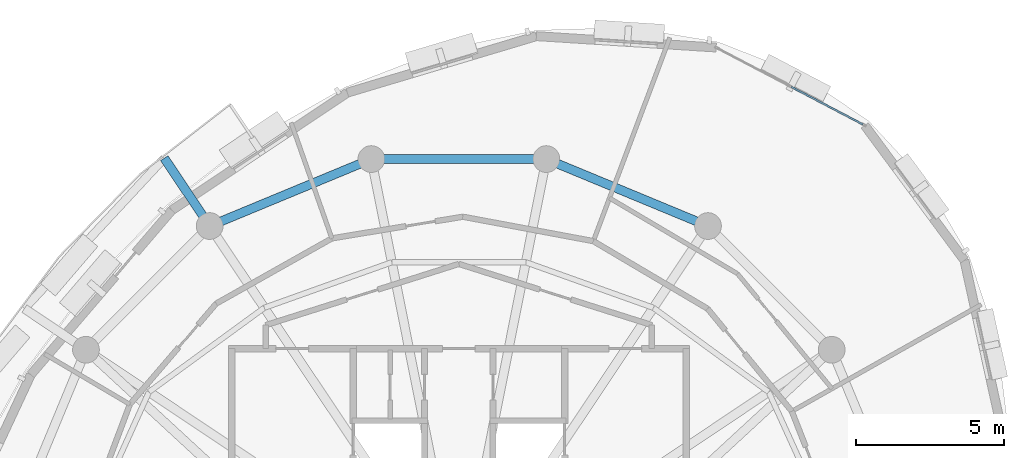
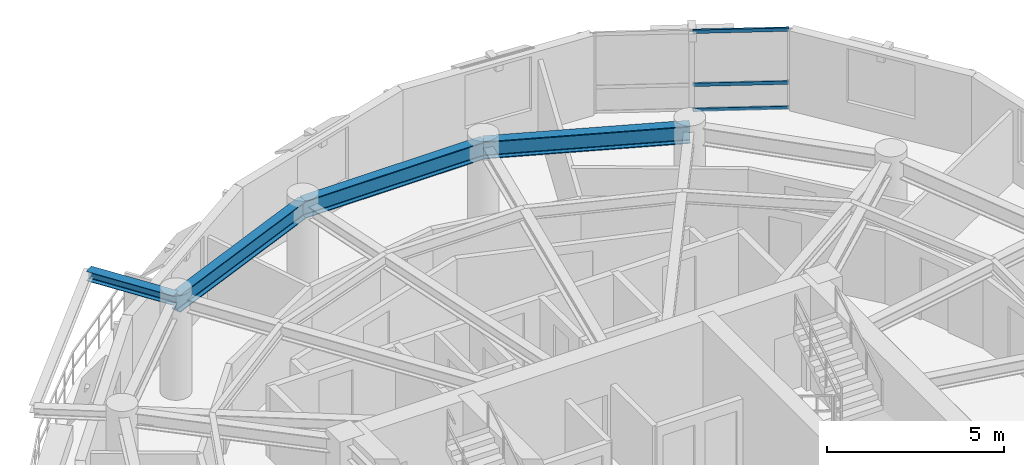
# One storey, part 4 of 11: 4 beams, 3 members, 1 element without a shape of its own.
"""IFC4 building model written with IfcOpenShell, lengths in metres."""

from ifc_helpers import new_model, si_unit, direction, frame, origin, origin_2d, place, context, subcontext, project, spatial, hollow_rectangle, i_section, extrude, material, layer, layer_set, material_profile, profile_set, type_object, element, aggregate, save


model = new_model("IFC4")

# Units and contexts
model_context = context("Model", 3, precision=1e-05, world=origin(), true_north=direction((0.0, 1.0)))
body_context = subcontext(model_context, "Body", "Model", "MODEL_VIEW")
ifc_project = project(units=[si_unit("LENGTHUNIT", "METRE"), si_unit("AREAUNIT", "SQUARE_METRE"), si_unit("VOLUMEUNIT", "CUBIC_METRE"), si_unit("PLANEANGLEUNIT", "RADIAN"), si_unit("MASSUNIT", "GRAM", prefix="KILO"), si_unit("THERMODYNAMICTEMPERATUREUNIT", "KELVIN"), si_unit("POWERUNIT", "WATT")], contexts=[model_context])

# Site, building, storey
site_placement = place(None, origin())
site = spatial("IfcSite", under=ifc_project, at=site_placement, CompositionType="ELEMENT")
building_placement = place(site_placement, origin())
building = spatial("IfcBuilding", under=site, at=building_placement, Name="Ocrelia Relay Tower", CompositionType="ELEMENT")
storey_placement = place(building_placement, frame((0.0, 0.0, 237.60009765625)))
storey = spatial("IfcBuildingStorey", under=building, at=storey_placement, Name="L58", CompositionType="ELEMENT", Elevation=237.60009765625)

# Beams
ifc_material_1 = material(Name="Steel S355", Category="steel")
ifc_material_profile_1 = material_profile(ifc_material_1, i_section(OverallWidth=0.300048828125, OverallDepth=0.330078125, WebThickness=0.009521484375, FlangeThickness=0.0166015625, FilletRadius=0.027099609375, at=origin_2d()), Name="HEA 340")
ifc_profile_set_1 = profile_set([ifc_material_profile_1], Name="Steel S355")
beam_type_1 = type_object("IfcBeamType", Name="BM-HEA340", PredefinedType="BEAM", material=ifc_profile_set_1)
beam_1_placement = place(storey_placement, frame((25.61083984375, 38.55517578125, 3.21484375), z_axis=(-0.555580145188, 0.831462989118, 0.0), x_axis=(-0.831462989118, -0.555580145188, 0.0)))
element("IfcBeam", 1, at=beam_1_placement, inside=storey, type_object=beam_type_1, Name="L59 Balcony Cantilever Beam B1-1", PredefinedType="BEAM", context=body_context, shape_type="SweptSolid", body=[
    extrude(i_section(OverallWidth=0.300048828125, OverallDepth=0.330078125, WebThickness=0.009521484375, FlangeThickness=0.0166015625, FilletRadius=0.027099609375, at=origin_2d()), origin(), (0.0, 0.0, 1.0), 2.752197265625),
])
ifc_material_profile_2 = material_profile(ifc_material_1, i_section(OverallWidth=0.300048828125, OverallDepth=0.60009765625, WebThickness=0.015380859375, FlangeThickness=0.030029296875, FilletRadius=0.027099609375, at=origin_2d()), Name="HEB 600")
ifc_profile_set_2 = profile_set([ifc_material_profile_2], Name="Steel S355")
beam_type_2 = type_object("IfcBeamType", Name="BM-HEB600", PredefinedType="BEAM", material=ifc_profile_set_2)
beam_2_placement = place(storey_placement, frame((42.38916015625, 38.55517578125, 3.079833984375), z_axis=(-0.923884009374, 0.382672624084, 0.0), x_axis=(-0.382672624084, -0.923884009374, 0.0)))
element("IfcBeam", 2, at=beam_2_placement, inside=storey, type_object=beam_type_2, Name="L58 Perimeter Spandrel Beam S03", PredefinedType="BEAM", context=body_context, shape_type="SweptSolid", body=[
    extrude(i_section(OverallWidth=0.300048828125, OverallDepth=0.60009765625, WebThickness=0.015380859375, FlangeThickness=0.030029296875, FilletRadius=0.027099609375, at=origin_2d()), origin(), (0.0, 0.0, 1.0), 5.891845703125),
])
beam_3_placement = place(storey_placement, frame((36.94580078125, 40.809814453125, 3.079833984375), z_axis=(-1.0, 0.0, 0.0), x_axis=(0.0, -1.0, 0.0)))
element("IfcBeam", 3, at=beam_3_placement, inside=storey, type_object=beam_type_2, Name="L58 Perimeter Spandrel Beam S04", PredefinedType="BEAM", context=body_context, shape_type="SweptSolid", body=[
    extrude(i_section(OverallWidth=0.300048828125, OverallDepth=0.60009765625, WebThickness=0.015380859375, FlangeThickness=0.030029296875, FilletRadius=0.027099609375, at=origin_2d()), origin(), (0.0, 0.0, 1.0), 5.8916015625),
])
beam_4_placement = place(storey_placement, frame((31.05419921875, 40.809814453125, 3.079833984375), z_axis=(-0.923884009374, -0.382672624084, 0.0), x_axis=(0.382672624084, -0.923884009374, 0.0)))
element("IfcBeam", 4, at=beam_4_placement, inside=storey, type_object=beam_type_2, Name="L58 Perimeter Spandrel Beam S05", PredefinedType="BEAM", context=body_context, shape_type="SweptSolid", body=[
    extrude(i_section(OverallWidth=0.300048828125, OverallDepth=0.60009765625, WebThickness=0.015380859375, FlangeThickness=0.030029296875, FilletRadius=0.027099609375, at=origin_2d()), origin(), (0.0, 0.0, 1.0), 5.891845703125),
])

# Curtain wall, members
ifc_material_2 = material(Name="Aluminium and solar-control low-E glass", Category="aluminium")
ifc_layer = layer(ifc_material_2, 0.179931640625, Name="Aluminium and solar-control low-E glass")
ifc_layer_set = layer_set([ifc_layer], Name="Aluminium and solar-control low-E glass")
curtain_wall_type = type_object("IfcCurtainWallType", Name="CW-SYS-Z4-EXEC", PredefinedType="NOTDEFINED", material=ifc_layer_set)
curtain_wall_placement = place(storey_placement, origin())
curtain_wall = element("IfcCurtainWall", 5, at=curtain_wall_placement, inside=storey, type_object=curtain_wall_type, Name="L58 Elliptical Tower Curtain Wall Bay 01", PredefinedType="NOTDEFINED")
ifc_material_3 = material(Name="Anodised bronze aluminium", Category="aluminium")
ifc_material_profile_3 = material_profile(ifc_material_3, hollow_rectangle(XDim=0.06005859375, YDim=0.1201171875, WallThickness=0.0048828125, at=origin_2d()), Name="CW-TRN-120x60")
ifc_profile_set_3 = profile_set([ifc_material_profile_3], Name="Anodised bronze aluminium")
member_type = type_object("IfcMemberType", Name="CW-SYS-Z4-EXEC-TRN", PredefinedType="USERDEFINED", material=ifc_profile_set_3)
member_1_placement = place(storey_placement, frame((47.608642578125, 41.974853515625, 0.02978515625), z_axis=(-0.885836790889, 0.463996961096, 0.0), x_axis=(-0.463996961096, -0.885836790889, 0.0)))
member_1 = element("IfcMember", 6, at=member_1_placement, type_object=member_type, Name="CW-Z4 transom 1.1", ObjectType="TRANSOM", PredefinedType="USERDEFINED", context=body_context, shape_type="SweptSolid", body=[
    extrude(hollow_rectangle(XDim=0.06005859375, YDim=0.1201171875, WallThickness=0.0048828125, at=origin_2d()), origin(), (0.0, 0.0, 1.0), 2.7275390625),
])
member_2_placement = place(storey_placement, frame((47.608642578125, 41.974853515625, 0.89990234375), z_axis=(-0.885836790889, 0.463996961096, 0.0), x_axis=(-0.463996961096, -0.885836790889, 0.0)))
member_2 = element("IfcMember", 7, at=member_2_placement, type_object=member_type, Name="CW-Z4 transom 1.2", ObjectType="TRANSOM", PredefinedType="USERDEFINED", context=body_context, shape_type="SweptSolid", body=[
    extrude(hollow_rectangle(XDim=0.06005859375, YDim=0.1201171875, WallThickness=0.0048828125, at=origin_2d()), origin(), (0.0, 0.0, 1.0), 2.7275390625),
])
member_3_placement = place(storey_placement, frame((47.608642578125, 41.974853515625, 2.72998046875), z_axis=(-0.885836790889, 0.463996961096, 0.0), x_axis=(-0.463996961096, -0.885836790889, 0.0)))
member_3 = element("IfcMember", 8, at=member_3_placement, type_object=member_type, Name="CW-Z4 transom 1.3", ObjectType="TRANSOM", PredefinedType="USERDEFINED", context=body_context, shape_type="SweptSolid", body=[
    extrude(hollow_rectangle(XDim=0.06005859375, YDim=0.1201171875, WallThickness=0.0048828125, at=origin_2d()), origin(), (0.0, 0.0, 1.0), 2.7275390625),
])
aggregate(curtain_wall, [member_1, member_2, member_3])

save(model, "model.ifc")
